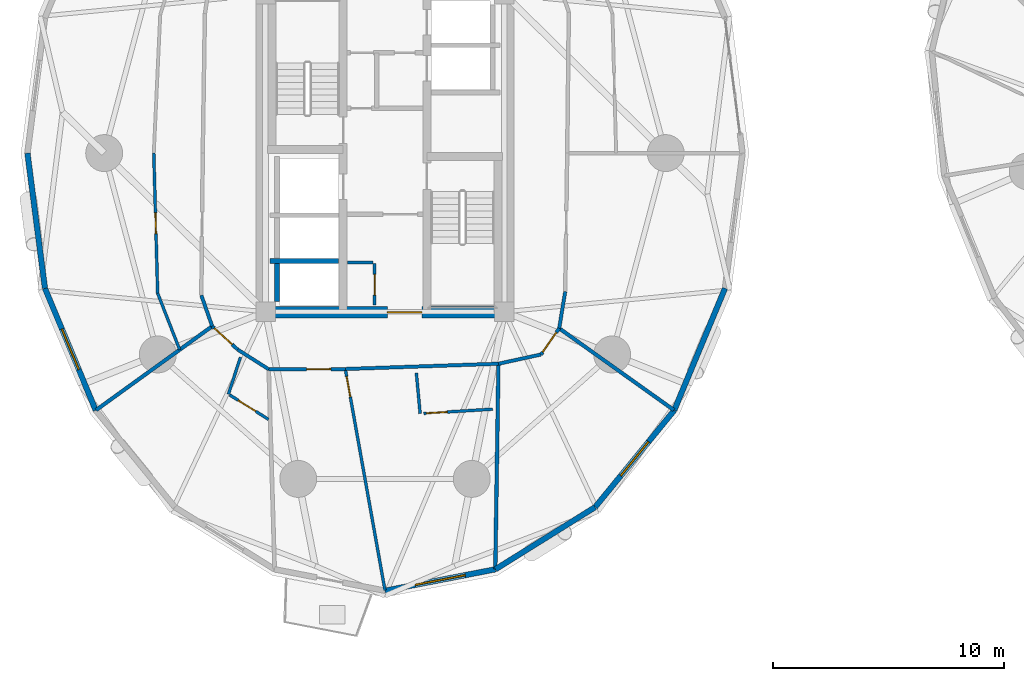
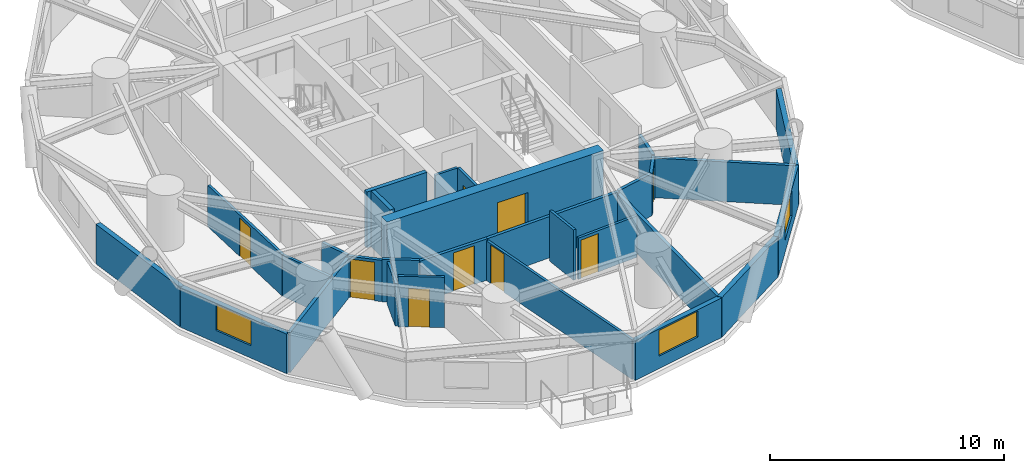
# One storey, part 9 of 19: 29 walls, 9 doors, 3 windows, 12 openings.
"""IFC4 building model written with IfcOpenShell, lengths in metres."""

from ifc_helpers import new_model, si_unit, direction, frame, frame_2d, origin, place, context, subcontext, project, spatial, rectangle, extrude, source, transform, mapped, material, layer, layer_set, type_object, element, fill, save


model = new_model("IFC4")

# Units and contexts
model_context = context("Model", 3, precision=1e-05, world=origin(), true_north=direction((0.0, 1.0)))
body_context = subcontext(model_context, "Body", "Model", "MODEL_VIEW")
ifc_project = project(units=[si_unit("LENGTHUNIT", "METRE"), si_unit("AREAUNIT", "SQUARE_METRE"), si_unit("VOLUMEUNIT", "CUBIC_METRE"), si_unit("PLANEANGLEUNIT", "RADIAN"), si_unit("MASSUNIT", "GRAM", prefix="KILO")], contexts=[model_context])

# Site, building, storey
site_placement = place(None, origin())
site = spatial("IfcSite", under=ifc_project, at=site_placement, CompositionType="ELEMENT")
building_placement = place(site_placement, origin())
building = spatial("IfcBuilding", under=site, at=building_placement, Name="Cununo Teusaquillo Station Towers", CompositionType="ELEMENT")
storey_placement = place(building_placement, frame((0.0, 0.0, 42.3701171875)))
storey = spatial("IfcBuildingStorey", under=building, at=storey_placement, Name="L12", CompositionType="ELEMENT", Elevation=42.3701171875)

# Walls
ifc_material_1 = material(Name="Concrete C50/60", Category="concrete")
ifc_layer_1 = layer(ifc_material_1, 0.199951171875)
ifc_layer_set_1 = layer_set([ifc_layer_1], Name="Concrete C50/60")
wall_type_1 = type_object("IfcWallType", Name="WL-CORE-200", PredefinedType="SHEAR", material=ifc_layer_set_1)
wall_1_placement = place(storey_placement, frame((11.52001953125, 19.824951171875, 0.0), z_axis=(0.0, 0.0, 1.0), x_axis=(1.0, 0.0, 0.0)))
element("IfcWall", 1, at=wall_1_placement, inside=storey, type_object=wall_type_1, Name="L12 Tower A High-Rise Lift Hoistway Divider Shear Wall", PredefinedType="SHEAR", context=body_context, shape_type="SweptSolid", body=[
    extrude(rectangle(XDim=2.969970703125, YDim=0.199951171875, at=frame_2d((1.48486328125, 0.0))), origin(), (0.0, 0.0, 1.0), 2.909912109375),
])
wall_2_placement = place(storey_placement, frame((11.820068359375, 18.070068359375, 0.0), z_axis=(0.0, 0.0, 1.0), x_axis=(0.0, 1.0, 0.0)))
element("IfcWall", 2, at=wall_2_placement, inside=storey, type_object=wall_type_1, Name="L12 Tower A High-Rise Lift 1 Shaft Rear Shear Wall", PredefinedType="SHEAR", context=body_context, shape_type="SweptSolid", body=[
    extrude(rectangle(XDim=1.635009765625, YDim=0.199951171875, at=frame_2d((0.8173828125, 0.0))), origin(), (0.0, 0.0, 1.0), 2.909912109375),
])

# Wall, opening, door
ifc_material_2 = material(Name="Concrete C60/75", Category="concrete")
ifc_layer_2 = layer(ifc_material_2, 0.5)
ifc_layer_set_2 = layer_set([ifc_layer_2], Name="Concrete C60/75")
wall_type_2 = type_object("IfcWallType", Name="WL-CORE-500", PredefinedType="SHEAR", material=ifc_layer_set_2)
wall_3_placement = place(storey_placement, frame((11.14990234375, 17.60009765625, 0.0), z_axis=(0.0, 0.0, 1.0), x_axis=(1.0, 0.0, 0.0)))
wall_3 = element("IfcWall", 3, at=wall_3_placement, inside=storey, type_object=wall_type_2, Name="L12 Tower A Core Shear Wall S", PredefinedType="SHEAR", context=body_context, shape_type="SweptSolid", body=[
    extrude(rectangle(XDim=10.7001953125, YDim=0.5, at=frame_2d((5.35009765625, 0.0))), origin(), (0.0, 0.0, 1.0), 2.909912109375),
])
shared_shape_1 = source(origin(), body_context, "Body", "SweptSolid", [
    extrude(rectangle(XDim=1.5, YDim=2.02001953125, at=frame_2d((0.75, 1.010009765625))), frame((0.0, 0.260009765625, 0.0), z_axis=(0.0, -1.0, 0.0), x_axis=(1.0, 0.0, 0.0)), (0.0, 0.0, 1.0), 0.52001953125),
])
opening_1_placement = place(wall_3_placement, frame((5.449951171875, 0.0, 0.0)))
opening_1 = element("IfcOpeningElement", 4, at=opening_1_placement, cuts=wall_3, Name="Opening D-LB1", PredefinedType="OPENING", context=body_context, shape_type="MappedRepresentation", body=[
    mapped(shared_shape_1, transform((0.0, 0.0, 0.0), x_axis=(1.0, 0.0, 0.0), y_axis=(0.0, 1.0, 0.0), z_axis=(0.0, 0.0, 1.0), scale=1.0)),
])
ifc_material_3 = material(Name="Galvanised fire-rated hollow steel door assembly", Category="steel")
door_type_1 = type_object("IfcDoorType", Name="DR-LOBBY-1500", OperationType="DOUBLE_DOOR_SINGLE_SWING", PredefinedType="DOOR", material=ifc_material_3)
shared_shape_2 = source(origin(), body_context, "Body", "SweptSolid", [
    extrude(rectangle(XDim=1.5, YDim=2.02001953125, at=frame_2d((0.75, 1.010009765625))), frame((0.0, 0.02490234375, 0.0), z_axis=(0.0, -1.0, 0.0), x_axis=(1.0, 0.0, 0.0)), (0.0, 0.0, 1.0), 0.050048828125),
])
door_1_placement = place(opening_1_placement, origin())
door_1 = element("IfcDoor", 5, at=door_1_placement, inside=storey, type_object=door_type_1, Name="L12 Tower A South Core Lift Lobby Door", OperationType="DOUBLE_DOOR_SINGLE_SWING", OverallHeight=2.02001953125, OverallWidth=1.5, PredefinedType="DOOR", context=body_context, shape_type="MappedRepresentation", body=[
    mapped(shared_shape_2, transform((0.0, 0.0, 0.0), x_axis=(1.0, 0.0, 0.0), y_axis=(0.0, 1.0, 0.0), z_axis=(0.0, 0.0, 1.0), scale=1.0)),
])
fill(opening_1, door_1)

# Wall
ifc_material_4 = material(Name="Precast concrete C40/50", Category="concrete")
ifc_layer_3 = layer(ifc_material_4, 0.239990234375)
ifc_layer_set_3 = layer_set([ifc_layer_3], Name="Precast concrete C40/50")
wall_type_3 = type_object("IfcWallType", Name="WL-EXT-240", PredefinedType="SOLIDWALL", material=ifc_layer_set_3)
wall_4_placement = place(storey_placement, frame((1.759521484375, 18.637939453125, 0.0), z_axis=(0.0, 0.0, 1.0), x_axis=(-0.128329107357, 0.991731637191, 0.0)))
element("IfcWall", 6, at=wall_4_placement, inside=storey, type_object=wall_type_3, Name="L12 Tower A Exterior Facade Wall C10", PredefinedType="SOLIDWALL", context=body_context, shape_type="SweptSolid", body=[
    extrude(rectangle(XDim=5.910888671875, YDim=0.239990234375, at=frame_2d((2.95556640625, 0.0))), origin(), (0.0, 0.0, 1.0), 2.072998046875),
])

# Wall, opening, window
wall_5_placement = place(storey_placement, frame((3.9609375, 13.349609375, 0.0), z_axis=(0.0, 0.0, 1.0), x_axis=(-0.38430970593, 0.923204229804, 0.0)))
wall_5 = element("IfcWall", 7, at=wall_5_placement, inside=storey, type_object=wall_type_3, Name="L12 Tower A Exterior Facade Wall C11", PredefinedType="SOLIDWALL", context=body_context, shape_type="SweptSolid", body=[
    extrude(rectangle(XDim=5.728271484375, YDim=0.239990234375, at=frame_2d((2.8642578125, 0.0))), origin(), (0.0, 0.0, 1.0), 2.072998046875),
])
shared_shape_3 = source(origin(), body_context, "Body", "SweptSolid", [
    extrude(rectangle(XDim=1.89990234375, YDim=1.35009765625, at=frame_2d((0.949951171875, 0.675048828125))), frame((0.0, 0.1298828125, 0.0), z_axis=(0.0, -1.0, 0.0), x_axis=(1.0, 0.0, 0.0)), (0.0, 0.0, 1.0), 0.260009765625),
])
opening_2_placement = place(wall_5_placement, frame((1.9140625, 0.0, 0.64990234375)))
opening_2 = element("IfcOpeningElement", 8, at=opening_2_placement, cuts=wall_5, Name="Opening WN-02", PredefinedType="OPENING", context=body_context, shape_type="MappedRepresentation", body=[
    mapped(shared_shape_3, transform((0.0, 0.0, 0.0), x_axis=(1.0, 0.0, 0.0), y_axis=(0.0, 1.0, 0.0), z_axis=(0.0, 0.0, 1.0), scale=1.0)),
])
ifc_material_5 = material(Name="Operable acoustic tinted low-E double glazing", Category="glass")
window_type_1 = type_object("IfcWindowType", Name="WIN-OPER-1900", PartitioningType="DOUBLE_PANEL_VERTICAL", PredefinedType="WINDOW", material=ifc_material_5)
shared_shape_4 = source(origin(), body_context, "Body", "SweptSolid", [
    extrude(rectangle(XDim=1.89990234375, YDim=1.35009765625, at=frame_2d((0.949951171875, 0.675048828125))), frame((0.0, 0.030029296875, 0.0), z_axis=(0.0, -1.0, 0.0), x_axis=(1.0, 0.0, 0.0)), (0.0, 0.0, 1.0), 0.06005859375),
])
window_1_placement = place(opening_2_placement, origin())
window_1 = element("IfcWindow", 9, at=window_1_placement, inside=storey, type_object=window_type_1, Name="L12 Tower A Facade Window C11", OverallHeight=1.35009765625, OverallWidth=1.89990234375, PartitioningType="DOUBLE_PANEL_VERTICAL", PredefinedType="WINDOW", context=body_context, shape_type="MappedRepresentation", body=[
    mapped(shared_shape_4, transform((0.0, 0.0, 0.0), x_axis=(1.0, 0.0, 0.0), y_axis=(0.0, 1.0, 0.0), z_axis=(0.0, 0.0, 1.0), scale=1.0)),
])
fill(opening_2, window_1)

wall_6_placement = place(storey_placement, frame((21.28955078125, 6.45849609375, 0.0), z_axis=(0.0, 0.0, 1.0), x_axis=(-0.981724094622, -0.190309752872, 0.0)))
wall_6 = element("IfcWall", 10, at=wall_6_placement, inside=storey, type_object=wall_type_3, Name="L12 Tower A Exterior Facade Wall C15", PredefinedType="SOLIDWALL", context=body_context, shape_type="SweptSolid", body=[
    extrude(rectangle(XDim=4.878662109375, YDim=0.239990234375, at=frame_2d((2.439453125, 0.0))), origin(), (0.0, 0.0, 1.0), 2.072998046875),
])
shared_shape_5 = source(origin(), body_context, "Body", "SweptSolid", [
    extrude(rectangle(XDim=2.199951171875, YDim=1.35009765625, at=frame_2d((1.10009765625, 0.675048828125))), frame((0.0, 0.1298828125, 0.0), z_axis=(0.0, -1.0, 0.0), x_axis=(1.0, 0.0, 0.0)), (0.0, 0.0, 1.0), 0.260009765625),
])
opening_3_placement = place(wall_6_placement, frame((1.339111328125, 0.0, 0.64990234375)))
opening_3 = element("IfcOpeningElement", 11, at=opening_3_placement, cuts=wall_6, Name="Opening WN-01", PredefinedType="OPENING", context=body_context, shape_type="MappedRepresentation", body=[
    mapped(shared_shape_5, transform((0.0, 0.0, 0.0), x_axis=(1.0, 0.0, 0.0), y_axis=(0.0, 1.0, 0.0), z_axis=(0.0, 0.0, 1.0), scale=1.0)),
])
ifc_material_6 = material(Name="Ceramic-fritted dark low-E double glazing", Category="glass")
window_type_2 = type_object("IfcWindowType", Name="WIN-FRIT-2200", PartitioningType="DOUBLE_PANEL_VERTICAL", PredefinedType="WINDOW", material=ifc_material_6)
shared_shape_6 = source(origin(), body_context, "Body", "SweptSolid", [
    extrude(rectangle(XDim=2.199951171875, YDim=1.35009765625, at=frame_2d((1.10009765625, 0.675048828125))), frame((0.0, 0.030029296875, 0.0), z_axis=(0.0, -1.0, 0.0), x_axis=(1.0, 0.0, 0.0)), (0.0, 0.0, 1.0), 0.06005859375),
])
window_2_placement = place(opening_3_placement, origin())
window_2 = element("IfcWindow", 12, at=window_2_placement, inside=storey, type_object=window_type_2, Name="L12 Tower A Facade Window C15", OverallHeight=1.35009765625, OverallWidth=2.199951171875, PartitioningType="DOUBLE_PANEL_VERTICAL", PredefinedType="WINDOW", context=body_context, shape_type="MappedRepresentation", body=[
    mapped(shared_shape_6, transform((0.0, 0.0, 0.0), x_axis=(1.0, 0.0, 0.0), y_axis=(0.0, 1.0, 0.0), z_axis=(0.0, 0.0, 1.0), scale=1.0)),
])
fill(opening_3, window_2)

# Wall
wall_7_placement = place(storey_placement, frame((25.610107421875, 9.15283203125, 0.0), z_axis=(0.0, 0.0, 1.0), x_axis=(-0.848528534887, -0.529149624853, 0.0)))
element("IfcWall", 13, at=wall_7_placement, inside=storey, type_object=wall_type_3, Name="L12 Tower A Exterior Facade Wall C16", PredefinedType="SOLIDWALL", context=body_context, shape_type="SweptSolid", body=[
    extrude(rectangle(XDim=5.091796875, YDim=0.239990234375, at=frame_2d((2.5458984375, 0.0))), origin(), (0.0, 0.0, 1.0), 2.072998046875),
])

# Wall, opening, window
wall_8_placement = place(storey_placement, frame((29.0390625, 13.349609375, 0.0), z_axis=(0.0, 0.0, 1.0), x_axis=(-0.632710215588, -0.774388651189, 0.0)))
wall_8 = element("IfcWall", 14, at=wall_8_placement, inside=storey, type_object=wall_type_3, Name="L12 Tower A Exterior Facade Wall C17", PredefinedType="SOLIDWALL", context=body_context, shape_type="SweptSolid", body=[
    extrude(rectangle(XDim=5.41943359375, YDim=0.239990234375, at=frame_2d((2.709716796875, 0.0))), origin(), (0.0, 0.0, 1.0), 2.072998046875),
])
opening_4_placement = place(wall_8_placement, frame((1.760009765625, 0.0, 0.64990234375)))
opening_4 = element("IfcOpeningElement", 15, at=opening_4_placement, cuts=wall_8, Name="Opening WN-02", PredefinedType="OPENING", context=body_context, shape_type="MappedRepresentation", body=[
    mapped(shared_shape_3, transform((0.0, 0.0, 0.0), x_axis=(1.0, 0.0, 0.0), y_axis=(0.0, 1.0, 0.0), z_axis=(0.0, 0.0, 1.0), scale=1.0)),
])
window_3_placement = place(opening_4_placement, origin())
window_3 = element("IfcWindow", 16, at=window_3_placement, inside=storey, type_object=window_type_1, Name="L12 Tower A Facade Window C17", OverallHeight=1.35009765625, OverallWidth=1.89990234375, PartitioningType="DOUBLE_PANEL_VERTICAL", PredefinedType="WINDOW", context=body_context, shape_type="MappedRepresentation", body=[
    mapped(shared_shape_4, transform((0.0, 0.0, 0.0), x_axis=(1.0, 0.0, 0.0), y_axis=(0.0, 1.0, 0.0), z_axis=(0.0, 0.0, 1.0), scale=1.0)),
])
fill(opening_4, window_3)

# Wall
wall_9_placement = place(storey_placement, frame((31.240478515625, 18.637939453125, 0.0), z_axis=(0.0, 0.0, 1.0), x_axis=(-0.38430970593, -0.923204229804, 0.0)))
element("IfcWall", 17, at=wall_9_placement, inside=storey, type_object=wall_type_3, Name="L12 Tower A Exterior Facade Wall C18", PredefinedType="SOLIDWALL", context=body_context, shape_type="SweptSolid", body=[
    extrude(rectangle(XDim=5.728271484375, YDim=0.239990234375, at=frame_2d((2.8642578125, 0.0))), origin(), (0.0, 0.0, 1.0), 2.072998046875),
])

# Wall, opening, door
ifc_material_7 = material(Name="Fire-rated gypsum plasterboard partition assembly", Category="gypsum")
ifc_layer_4 = layer(ifc_material_7, 0.125)
ifc_layer_set_4 = layer_set([ifc_layer_4], Name="Fire-rated gypsum plasterboard partition assembly")
wall_type_4 = type_object("IfcWallType", Name="WL-PART-125", PredefinedType="PARTITIONING", material=ifc_layer_set_4)
wall_10_placement = place(storey_placement, frame((16.050048828125, 17.919921875, 0.0), z_axis=(0.0, 0.0, 1.0), x_axis=(0.0, 1.0, 0.0)))
wall_10 = element("IfcWall", 18, at=wall_10_placement, inside=storey, type_object=wall_type_4, Name="L12 Tower A South-West Compact Store East Wall", PredefinedType="PARTITIONING", context=body_context, shape_type="SweptSolid", body=[
    extrude(rectangle(XDim=1.800048828125, YDim=0.125, at=frame_2d((0.89990234375, 0.0))), origin(), (0.0, 0.0, 1.0), 2.634765625),
])
shared_shape_7 = source(origin(), body_context, "Body", "SweptSolid", [
    extrude(rectangle(XDim=0.89990234375, YDim=2.0048828125, at=frame_2d((0.449951171875, 1.00244140625))), frame((0.0, 0.072509765625, 0.0), z_axis=(0.0, -1.0, 0.0), x_axis=(1.0, 0.0, 0.0)), (0.0, 0.0, 1.0), 0.14501953125),
])
opening_5_placement = place(wall_10_placement, frame((0.419921875, 0.0, 0.0)))
opening_5 = element("IfcOpeningElement", 19, at=opening_5_placement, cuts=wall_10, Name="Opening D-SR1", PredefinedType="OPENING", context=body_context, shape_type="MappedRepresentation", body=[
    mapped(shared_shape_7, transform((0.0, 0.0, 0.0), x_axis=(1.0, 0.0, 0.0), y_axis=(0.0, 1.0, 0.0), z_axis=(0.0, 0.0, 1.0), scale=1.0)),
])
ifc_material_8 = material(Name="Galvanised fire-rated hollow steel door assembly", Category="steel")
door_type_2 = type_object("IfcDoorType", Name="DR-STORE-900", OperationType="NOTDEFINED", PredefinedType="DOOR", material=ifc_material_8)
shared_shape_8 = source(origin(), body_context, "Body", "SweptSolid", [
    extrude(rectangle(XDim=0.89990234375, YDim=2.0048828125, at=frame_2d((0.449951171875, 1.00244140625))), frame((0.0, 0.02490234375, 0.0), z_axis=(0.0, -1.0, 0.0), x_axis=(1.0, 0.0, 0.0)), (0.0, 0.0, 1.0), 0.050048828125),
])
door_2_placement = place(opening_5_placement, origin())
door_2 = element("IfcDoor", 20, at=door_2_placement, inside=storey, type_object=door_type_2, Name="L12 Tower A Core Electrical & Comms Store Door", OperationType="SINGLE_SWING_LEFT", OverallHeight=2.0048828125, OverallWidth=0.89990234375, PredefinedType="DOOR", context=body_context, shape_type="MappedRepresentation", body=[
    mapped(shared_shape_8, transform((0.0, 0.0, 0.0), x_axis=(1.0, 0.0, 0.0), y_axis=(0.0, 1.0, 0.0), z_axis=(0.0, 0.0, 1.0), scale=1.0)),
])
fill(opening_5, door_2)

# Wall
wall_11_placement = place(storey_placement, frame((14.8798828125, 19.75, 0.0), z_axis=(0.0, 0.0, 1.0), x_axis=(1.0, 0.0, 0.0)))
element("IfcWall", 21, at=wall_11_placement, inside=storey, type_object=wall_type_4, Name="L12 Tower A South-West Compact Store North Wall", PredefinedType="PARTITIONING", context=body_context, shape_type="SweptSolid", body=[
    extrude(rectangle(XDim=1.10009765625, YDim=0.125, at=frame_2d((0.550048828125, 0.0))), origin(), (0.0, 0.0, 1.0), 2.634765625),
])

# Wall, opening, door
wall_12_placement = place(storey_placement, frame((6.477783203125, 24.5, 0.0), z_axis=(0.0, 0.0, 1.0), x_axis=(0.027593153947, -0.999619236437, 0.0)))
wall_12 = element("IfcWall", 22, at=wall_12_placement, inside=storey, type_object=wall_type_4, Name="L12 Tower A Hotel Hydrotherapy Wellness Spa Concentric Partition Wall C10", PredefinedType="PARTITIONING", context=body_context, shape_type="SweptSolid", body=[
    extrude(rectangle(XDim=6.078369140625, YDim=0.125, at=frame_2d((3.0390625, 0.0))), origin(), (0.0, 0.0, 1.0), 2.158935546875),
])
opening_6_placement = place(wall_12_placement, frame((2.58935546875, 0.0, 0.0)))
opening_6 = element("IfcOpeningElement", 23, at=opening_6_placement, cuts=wall_12, Name="Opening D-IN1", PredefinedType="OPENING", context=body_context, shape_type="MappedRepresentation", body=[
    mapped(shared_shape_7, transform((0.0, 0.0, 0.0), x_axis=(1.0, 0.0, 0.0), y_axis=(0.0, 1.0, 0.0), z_axis=(0.0, 0.0, 1.0), scale=1.0)),
])
ifc_material_9 = material(Name="Acoustic solid-core hardwood leaf assembly", Category="wood")
door_type_3 = type_object("IfcDoorType", Name="DR-INT-900", OperationType="NOTDEFINED", PredefinedType="DOOR", material=ifc_material_9)
door_3_placement = place(opening_6_placement, origin())
door_3 = element("IfcDoor", 24, at=door_3_placement, inside=storey, type_object=door_type_3, Name="L12 Tower A Hotel Hydrotherapy Wellness Spa Connecting Door", OperationType="SINGLE_SWING_RIGHT", OverallHeight=2.0048828125, OverallWidth=0.89990234375, PredefinedType="DOOR", context=body_context, shape_type="MappedRepresentation", body=[
    mapped(shared_shape_8, transform((0.0, 0.0, 0.0), x_axis=(1.0, 0.0, 0.0), y_axis=(0.0, 1.0, 0.0), z_axis=(0.0, 0.0, 1.0), scale=1.0)),
])
fill(opening_6, door_3)

# Walls
wall_13_placement = place(storey_placement, frame((6.6455078125, 18.423828125, 0.0), z_axis=(0.0, 0.0, 1.0), x_axis=(0.363782486735, -0.931483924899, 0.0)))
element("IfcWall", 25, at=wall_13_placement, inside=storey, type_object=wall_type_4, Name="L12 Tower A Hotel Hydrotherapy Wellness Spa Concentric Partition Wall C11", PredefinedType="PARTITIONING", context=body_context, shape_type="SweptSolid", body=[
    extrude(rectangle(XDim=2.626708984375, YDim=0.125, at=frame_2d((1.3134765625, 0.0))), origin(), (0.0, 0.0, 1.0), 2.158935546875),
])
wall_14_placement = place(storey_placement, frame((10.23486328125, 15.651123046875, 0.0), z_axis=(0.0, 0.0, 1.0), x_axis=(-0.309082792716, -0.951035134602, 0.0)))
element("IfcWall", 26, at=wall_14_placement, inside=storey, type_object=wall_type_4, Name="L12 Tower A S05 En-suite Side Wall", PredefinedType="PARTITIONING", context=body_context, shape_type="SweptSolid", body=[
    extrude(rectangle(XDim=1.683349609375, YDim=0.125, at=frame_2d((0.841796875, 0.0))), origin(), (0.0, 0.0, 1.0), 2.204833984375),
])

# Wall, opening, door
wall_15_placement = place(storey_placement, frame((9.76708984375, 14.01708984375, 0.0), z_axis=(0.0, 0.0, 1.0), x_axis=(0.846347510567, -0.532631102506, 0.0)))
wall_15 = element("IfcWall", 27, at=wall_15_placement, inside=storey, type_object=wall_type_4, Name="L12 Tower A S05 En-suite Back Wall", PredefinedType="PARTITIONING", context=body_context, shape_type="SweptSolid", body=[
    extrude(rectangle(XDim=1.99072265625, YDim=0.125, at=frame_2d((0.995361328125, 0.0))), origin(), (0.0, 0.0, 1.0), 2.634765625),
])
opening_7_placement = place(wall_15_placement, frame((0.43896484375, 0.0, 0.0)))
opening_7 = element("IfcOpeningElement", 28, at=opening_7_placement, cuts=wall_15, Name="Opening D-IN1", PredefinedType="OPENING", context=body_context, shape_type="MappedRepresentation", body=[
    mapped(shared_shape_7, transform((0.0, 0.0, 0.0), x_axis=(1.0, 0.0, 0.0), y_axis=(0.0, 1.0, 0.0), z_axis=(0.0, 0.0, 1.0), scale=1.0)),
])
door_4_placement = place(opening_7_placement, origin())
door_4 = element("IfcDoor", 29, at=door_4_placement, inside=storey, type_object=door_type_3, Name="L12 Tower A S05 En-suite Bathroom Door", OperationType="SINGLE_SWING_RIGHT", OverallHeight=2.0048828125, OverallWidth=0.89990234375, PredefinedType="DOOR", context=body_context, shape_type="MappedRepresentation", body=[
    mapped(shared_shape_8, transform((0.0, 0.0, 0.0), x_axis=(1.0, 0.0, 0.0), y_axis=(0.0, 1.0, 0.0), z_axis=(0.0, 0.0, 1.0), scale=1.0)),
])
fill(opening_7, door_4)

wall_16_placement = place(storey_placement, frame((14.781005859375, 15.140625, 0.0), z_axis=(0.0, 0.0, 1.0), x_axis=(0.176426287524, -0.984313854962, 0.0)))
wall_16 = element("IfcWall", 30, at=wall_16_placement, inside=storey, type_object=wall_type_4, Name="L12 Tower A Governor Hospitality Suite Suite Subdividing Wall", PredefinedType="PARTITIONING", context=body_context, shape_type="SweptSolid", body=[
    extrude(rectangle(XDim=9.743408203125, YDim=0.125, at=frame_2d((4.87158203125, 0.0))), origin(), (0.0, 0.0, 1.0), 2.072998046875),
])
opening_8_placement = place(wall_16_placement, frame((0.330078125, 0.0, 0.0)))
opening_8 = element("IfcOpeningElement", 31, at=opening_8_placement, cuts=wall_16, Name="Opening D-IN1", PredefinedType="OPENING", context=body_context, shape_type="MappedRepresentation", body=[
    mapped(shared_shape_7, transform((0.0, 0.0, 0.0), x_axis=(1.0, 0.0, 0.0), y_axis=(0.0, 1.0, 0.0), z_axis=(0.0, 0.0, 1.0), scale=1.0)),
])
door_5_placement = place(opening_8_placement, origin())
door_5 = element("IfcDoor", 32, at=door_5_placement, inside=storey, type_object=door_type_3, Name="L12 Tower A Governor Hospitality Suite Suite Connecting Door", OperationType="SINGLE_SWING_RIGHT", OverallHeight=2.0048828125, OverallWidth=0.89990234375, PredefinedType="DOOR", context=body_context, shape_type="MappedRepresentation", body=[
    mapped(shared_shape_8, transform((0.0, 0.0, 0.0), x_axis=(1.0, 0.0, 0.0), y_axis=(0.0, 1.0, 0.0), z_axis=(0.0, 0.0, 1.0), scale=1.0)),
])
fill(opening_8, door_5)

# Wall
wall_17_placement = place(storey_placement, frame((17.8603515625, 14.967529296875, 0.0), z_axis=(0.0, 0.0, 1.0), x_axis=(0.093037102593, -0.995662642435, 0.0)))
element("IfcWall", 33, at=wall_17_placement, inside=storey, type_object=wall_type_4, Name="L12 Tower A S06 En-suite Side Wall", PredefinedType="PARTITIONING", context=body_context, shape_type="SweptSolid", body=[
    extrude(rectangle(XDim=1.7685546875, YDim=0.125, at=frame_2d((0.88427734375, 0.0))), origin(), (0.0, 0.0, 1.0), 2.634765625),
])

# Wall, opening, door
wall_18_placement = place(storey_placement, frame((18.1806640625, 13.216064453125, 0.0), z_axis=(0.0, 0.0, 1.0), x_axis=(0.998120468621, 0.061282380177, 0.0)))
wall_18 = element("IfcWall", 34, at=wall_18_placement, inside=storey, type_object=wall_type_4, Name="L12 Tower A S06 En-suite Back Wall", PredefinedType="PARTITIONING", context=body_context, shape_type="SweptSolid", body=[
    extrude(rectangle(XDim=2.995849609375, YDim=0.125, at=frame_2d((1.498046875, 0.0))), origin(), (0.0, 0.0, 1.0), 2.158935546875),
])
opening_9_placement = place(wall_18_placement, frame((0.1201171875, 0.0, 0.0)))
opening_9 = element("IfcOpeningElement", 35, at=opening_9_placement, cuts=wall_18, Name="Opening D-IN1", PredefinedType="OPENING", context=body_context, shape_type="MappedRepresentation", body=[
    mapped(shared_shape_7, transform((0.0, 0.0, 0.0), x_axis=(1.0, 0.0, 0.0), y_axis=(0.0, 1.0, 0.0), z_axis=(0.0, 0.0, 1.0), scale=1.0)),
])
door_6_placement = place(opening_9_placement, origin())
door_6 = element("IfcDoor", 36, at=door_6_placement, inside=storey, type_object=door_type_3, Name="L12 Tower A S06 En-suite Bathroom Door", OperationType="SINGLE_SWING_LEFT", OverallHeight=2.0048828125, OverallWidth=0.89990234375, PredefinedType="DOOR", context=body_context, shape_type="MappedRepresentation", body=[
    mapped(shared_shape_8, transform((0.0, 0.0, 0.0), x_axis=(1.0, 0.0, 0.0), y_axis=(0.0, 1.0, 0.0), z_axis=(0.0, 0.0, 1.0), scale=1.0)),
])
fill(opening_9, door_6)

# Wall
ifc_material_10 = material(Name="Fire-rated gypsum plasterboard partition assembly", Category="gypsum")
ifc_layer_5 = layer(ifc_material_10, 0.14990234375)
ifc_layer_set_5 = layer_set([ifc_layer_5], Name="Fire-rated gypsum plasterboard partition assembly")
wall_type_5 = type_object("IfcWallType", Name="WL-PART-150", PredefinedType="PARTITIONING", material=ifc_layer_set_5)
wall_19_placement = place(storey_placement, frame((8.538330078125, 18.338134765625, 0.0), z_axis=(0.0, 0.0, 1.0), x_axis=(0.331358150167, -0.94350504838, 0.0)))
element("IfcWall", 37, at=wall_19_placement, inside=storey, type_object=wall_type_5, Name="L12 Tower A Corridor Ring Wall C11", PredefinedType="PARTITIONING", context=body_context, shape_type="SweptSolid", body=[
    extrude(rectangle(XDim=1.42431640625, YDim=0.14990234375, at=frame_2d((0.712158203125, 0.0))), origin(), (0.0, 0.0, 1.0), 2.204833984375),
])

# Wall, opening, door
wall_20_placement = place(storey_placement, frame((9.01025390625, 16.994384765625, 0.0), z_axis=(0.0, 0.0, 1.0), x_axis=(0.737701798986, -0.67512669609, 0.0)))
wall_20 = element("IfcWall", 38, at=wall_20_placement, inside=storey, type_object=wall_type_5, Name="L12 Tower A Corridor Ring Wall C12", PredefinedType="PARTITIONING", context=body_context, shape_type="SweptSolid", body=[
    extrude(rectangle(XDim=1.498291015625, YDim=0.14990234375, at=frame_2d((0.7490234375, 0.0))), origin(), (0.0, 0.0, 1.0), 2.158935546875),
])
shared_shape_9 = source(origin(), body_context, "Body", "SweptSolid", [
    extrude(rectangle(XDim=1.050048828125, YDim=2.014892578125, at=frame_2d((0.52490234375, 1.00732421875))), frame((0.0, 0.0849609375, 0.0), z_axis=(0.0, -1.0, 0.0), x_axis=(1.0, 0.0, 0.0)), (0.0, 0.0, 1.0), 0.169921875),
])
opening_10_placement = place(wall_20_placement, frame((0.1201171875, 0.0, 0.0)))
opening_10 = element("IfcOpeningElement", 39, at=opening_10_placement, cuts=wall_20, Name="Opening D-SU1", PredefinedType="OPENING", context=body_context, shape_type="MappedRepresentation", body=[
    mapped(shared_shape_9, transform((0.0, 0.0, 0.0), x_axis=(1.0, 0.0, 0.0), y_axis=(0.0, 1.0, 0.0), z_axis=(0.0, 0.0, 1.0), scale=1.0)),
])
ifc_material_11 = material(Name="Acoustic solid-core hardwood leaf assembly", Category="wood")
door_type_4 = type_object("IfcDoorType", Name="DR-SUITE-1050", OperationType="NOTDEFINED", PredefinedType="DOOR", material=ifc_material_11)
shared_shape_10 = source(origin(), body_context, "Body", "SweptSolid", [
    extrude(rectangle(XDim=1.050048828125, YDim=2.014892578125, at=frame_2d((0.52490234375, 1.00732421875))), frame((0.0, 0.02490234375, 0.0), z_axis=(0.0, -1.0, 0.0), x_axis=(1.0, 0.0, 0.0)), (0.0, 0.0, 1.0), 0.050048828125),
])
door_7_placement = place(opening_10_placement, origin())
door_7 = element("IfcDoor", 40, at=door_7_placement, inside=storey, type_object=door_type_4, Name="L12 Tower A Imperial Corner Hotel Suite Entrance Door", OperationType="SINGLE_SWING_LEFT", OverallHeight=2.014892578125, OverallWidth=1.050048828125, PredefinedType="DOOR", context=body_context, shape_type="MappedRepresentation", body=[
    mapped(shared_shape_10, transform((0.0, 0.0, 0.0), x_axis=(1.0, 0.0, 0.0), y_axis=(0.0, 1.0, 0.0), z_axis=(0.0, 0.0, 1.0), scale=1.0)),
])
fill(opening_10, door_7)

# Wall
wall_21_placement = place(storey_placement, frame((10.115478515625, 15.98291015625, 0.0), z_axis=(0.0, 0.0, 1.0), x_axis=(0.843995849351, -0.536349705209, 0.0)))
element("IfcWall", 41, at=wall_21_placement, inside=storey, type_object=wall_type_5, Name="L12 Tower A Corridor Ring Wall C13", PredefinedType="PARTITIONING", context=body_context, shape_type="SweptSolid", body=[
    extrude(rectangle(XDim=1.5927734375, YDim=0.14990234375, at=frame_2d((0.79638671875, 0.0))), origin(), (0.0, 0.0, 1.0), 2.204833984375),
])

# Wall, opening, door
wall_22_placement = place(storey_placement, frame((11.459716796875, 15.128662109375, 0.0), z_axis=(0.0, 0.0, 1.0), x_axis=(0.999993513287, 0.003601858435, 0.0)))
wall_22 = element("IfcWall", 42, at=wall_22_placement, inside=storey, type_object=wall_type_5, Name="L12 Tower A Corridor Ring Wall C14", PredefinedType="PARTITIONING", context=body_context, shape_type="SweptSolid", body=[
    extrude(rectangle(XDim=3.3212890625, YDim=0.14990234375, at=frame_2d((1.66064453125, 0.0))), origin(), (0.0, 0.0, 1.0), 2.158935546875),
])
opening_11_placement = place(wall_22_placement, frame((1.643310546875, 0.0, 0.0)))
opening_11 = element("IfcOpeningElement", 43, at=opening_11_placement, cuts=wall_22, Name="Opening D-SU1", PredefinedType="OPENING", context=body_context, shape_type="MappedRepresentation", body=[
    mapped(shared_shape_9, transform((0.0, 0.0, 0.0), x_axis=(1.0, 0.0, 0.0), y_axis=(0.0, 1.0, 0.0), z_axis=(0.0, 0.0, 1.0), scale=1.0)),
])
door_8_placement = place(opening_11_placement, origin())
door_8 = element("IfcDoor", 44, at=door_8_placement, inside=storey, type_object=door_type_4, Name="L12 Tower A Governor Hospitality Suite Entrance Door", OperationType="SINGLE_SWING_LEFT", OverallHeight=2.014892578125, OverallWidth=1.050048828125, PredefinedType="DOOR", context=body_context, shape_type="MappedRepresentation", body=[
    mapped(shared_shape_10, transform((0.0, 0.0, 0.0), x_axis=(1.0, 0.0, 0.0), y_axis=(0.0, 1.0, 0.0), z_axis=(0.0, 0.0, 1.0), scale=1.0)),
])
fill(opening_11, door_8)

# Walls
wall_23_placement = place(storey_placement, frame((14.781005859375, 15.140625, 0.0), z_axis=(0.0, 0.0, 1.0), x_axis=(0.999407918707, 0.034406569513, 0.0)))
element("IfcWall", 45, at=wall_23_placement, inside=storey, type_object=wall_type_5, Name="L12 Tower A Corridor Ring Wall C15", PredefinedType="PARTITIONING", context=body_context, shape_type="SweptSolid", body=[
    extrude(rectangle(XDim=6.6416015625, YDim=0.14990234375, at=frame_2d((3.32080078125, 0.0))), origin(), (0.0, 0.0, 1.0), 2.158935546875),
])
wall_24_placement = place(storey_placement, frame((21.418701171875, 15.369140625, 0.0), z_axis=(0.0, 0.0, 1.0), x_axis=(0.977192701953, 0.212354475464, 0.0)))
element("IfcWall", 46, at=wall_24_placement, inside=storey, type_object=wall_type_5, Name="L12 Tower A Corridor Ring Wall C16", PredefinedType="PARTITIONING", context=body_context, shape_type="SweptSolid", body=[
    extrude(rectangle(XDim=1.8876953125, YDim=0.14990234375, at=frame_2d((0.94384765625, 0.0))), origin(), (0.0, 0.0, 1.0), 2.204833984375),
])

# Wall, opening, door
wall_25_placement = place(storey_placement, frame((23.263427734375, 15.77001953125, 0.0), z_axis=(0.0, 0.0, 1.0), x_axis=(0.570743456919, 0.821128434768, 0.0)))
wall_25 = element("IfcWall", 47, at=wall_25_placement, inside=storey, type_object=wall_type_5, Name="L12 Tower A Corridor Ring Wall C17", PredefinedType="PARTITIONING", context=body_context, shape_type="SweptSolid", body=[
    extrude(rectangle(XDim=1.381591796875, YDim=0.14990234375, at=frame_2d((0.69091796875, 0.0))), origin(), (0.0, 0.0, 1.0), 2.158935546875),
])
opening_12_placement = place(wall_25_placement, frame((0.1201171875, 0.0, 0.0)))
opening_12 = element("IfcOpeningElement", 48, at=opening_12_placement, cuts=wall_25, Name="Opening D-SU1", PredefinedType="OPENING", context=body_context, shape_type="MappedRepresentation", body=[
    mapped(shared_shape_9, transform((0.0, 0.0, 0.0), x_axis=(1.0, 0.0, 0.0), y_axis=(0.0, 1.0, 0.0), z_axis=(0.0, 0.0, 1.0), scale=1.0)),
])
door_9_placement = place(opening_12_placement, origin())
door_9 = element("IfcDoor", 49, at=door_9_placement, inside=storey, type_object=door_type_4, Name="L12 Tower A Hotel Housekeeping & Linen Pantry Entrance Door", OperationType="SINGLE_SWING_RIGHT", OverallHeight=2.014892578125, OverallWidth=1.050048828125, PredefinedType="DOOR", context=body_context, shape_type="MappedRepresentation", body=[
    mapped(shared_shape_10, transform((0.0, 0.0, 0.0), x_axis=(1.0, 0.0, 0.0), y_axis=(0.0, 1.0, 0.0), z_axis=(0.0, 0.0, 1.0), scale=1.0)),
])
fill(opening_12, door_9)

# Walls
wall_26_placement = place(storey_placement, frame((24.052001953125, 16.904541015625, 0.0), z_axis=(0.0, 0.0, 1.0), x_axis=(0.162091534225, 0.986775726562, 0.0)))
element("IfcWall", 50, at=wall_26_placement, inside=storey, type_object=wall_type_5, Name="L12 Tower A Corridor Ring Wall C18", PredefinedType="PARTITIONING", context=body_context, shape_type="SweptSolid", body=[
    extrude(rectangle(XDim=1.613037109375, YDim=0.14990234375, at=frame_2d((0.806640625, 0.0))), origin(), (0.0, 0.0, 1.0), 2.204833984375),
])
ifc_material_12 = material(Name="Fire-rated gypsum plasterboard partition assembly", Category="gypsum")
ifc_layer_6 = layer(ifc_material_12, 0.159912109375)
ifc_layer_set_6 = layer_set([ifc_layer_6], Name="Fire-rated gypsum plasterboard partition assembly")
wall_type_6 = type_object("IfcWallType", Name="WL-PART-160", PredefinedType="PARTITIONING", material=ifc_layer_set_6)
wall_27_placement = place(storey_placement, frame((9.01025390625, 16.994384765625, 0.0), z_axis=(0.0, 0.0, 1.0), x_axis=(-0.810839958558, -0.585267940012, 0.0)))
element("IfcWall", 51, at=wall_27_placement, inside=storey, type_object=wall_type_6, Name="L12 Tower A Radial Suite Partition R05", PredefinedType="PARTITIONING", context=body_context, shape_type="SweptSolid", body=[
    extrude(rectangle(XDim=6.20703125, YDim=0.159912109375, at=frame_2d((3.103515625, 0.0))), origin(), (0.0, 0.0, 1.0), 2.072998046875),
])
wall_28_placement = place(storey_placement, frame((21.418701171875, 15.369140625, 0.0), z_axis=(0.0, 0.0, 1.0), x_axis=(-0.015237110632, -0.999883908491, 0.0)))
element("IfcWall", 52, at=wall_28_placement, inside=storey, type_object=wall_type_6, Name="L12 Tower A Radial Suite Partition R07", PredefinedType="PARTITIONING", context=body_context, shape_type="SweptSolid", body=[
    extrude(rectangle(XDim=8.892578125, YDim=0.159912109375, at=frame_2d((4.4462890625, 0.0))), origin(), (0.0, 0.0, 1.0), 2.072998046875),
])
wall_29_placement = place(storey_placement, frame((24.052001953125, 16.904541015625, 0.0), z_axis=(0.0, 0.0, 1.0), x_axis=(0.814316784985, -0.580420686822, 0.0)))
element("IfcWall", 53, at=wall_29_placement, inside=storey, type_object=wall_type_6, Name="L12 Tower A Radial Suite Partition R08", PredefinedType="PARTITIONING", context=body_context, shape_type="SweptSolid", body=[
    extrude(rectangle(XDim=6.104248046875, YDim=0.159912109375, at=frame_2d((3.05224609375, 0.0))), origin(), (0.0, 0.0, 1.0), 2.072998046875),
])

save(model, "model.ifc")
